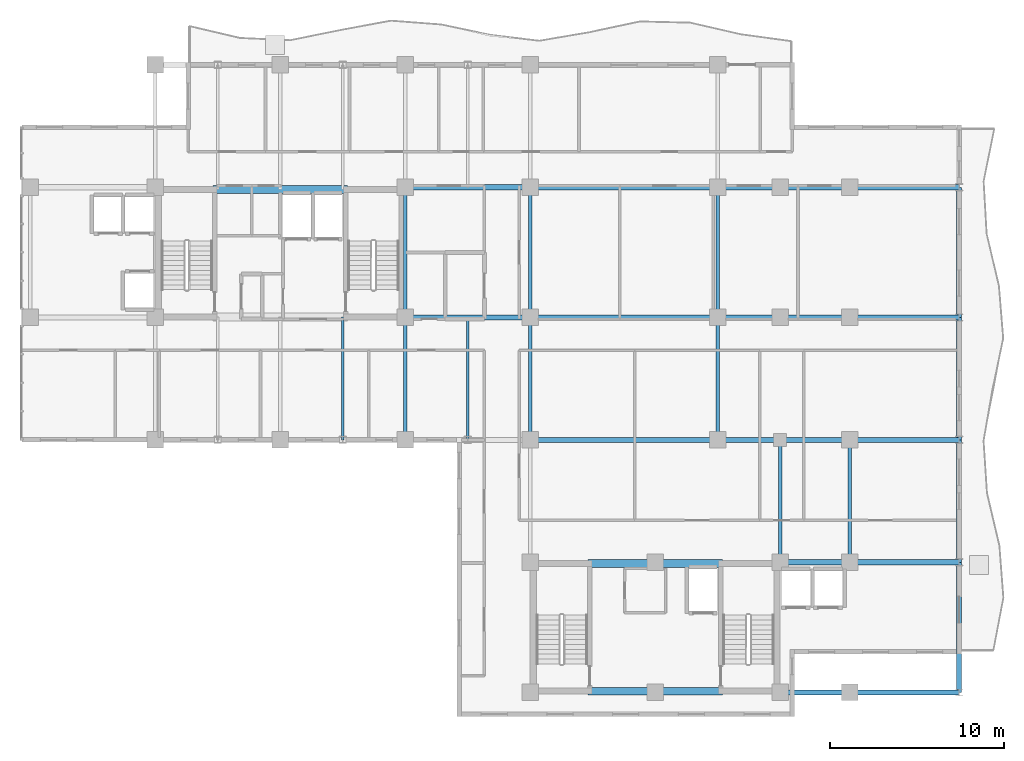
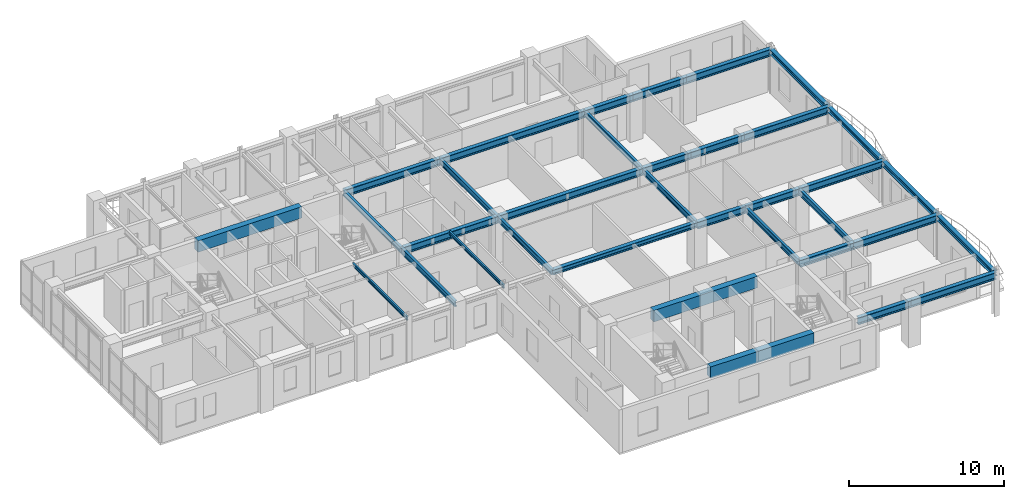
# One storey, part 9 of 20: 35 beams.
"""IFC4 building model written with IfcOpenShell, lengths in metres."""

from ifc_helpers import new_model, si_unit, direction, frame, origin, origin_2d, place, context, subcontext, project, spatial, rectangle, i_section, extrude, source, transform, mapped, material, material_profile, profile_set, type_object, element, save


model = new_model("IFC4")

# Units and contexts
model_context = context("Model", 3, precision=1e-05, world=origin(), true_north=direction((0.0, 1.0)))
body_context = subcontext(model_context, "Body", "Model", "MODEL_VIEW")
ifc_project = project(units=[si_unit("LENGTHUNIT", "METRE"), si_unit("AREAUNIT", "SQUARE_METRE"), si_unit("VOLUMEUNIT", "CUBIC_METRE"), si_unit("PLANEANGLEUNIT", "RADIAN"), si_unit("MASSUNIT", "GRAM", prefix="KILO")], contexts=[model_context])

# Site, building, storey
site_placement = place(None, origin())
site = spatial("IfcSite", under=ifc_project, at=site_placement, CompositionType="ELEMENT")
building_placement = place(site_placement, origin())
building = spatial("IfcBuilding", under=site, at=building_placement, Name="Kaliganga Portal Commons", CompositionType="ELEMENT")
storey_placement = place(building_placement, frame((0.0, 0.0, 231.39990234375)))
storey = spatial("IfcBuildingStorey", under=building, at=storey_placement, Name="L59", CompositionType="ELEMENT", Elevation=231.39990234375)

# Beams
ifc_material_1 = material(Name="Concrete C50/60", Category="concrete")
ifc_material_profile_1 = material_profile(ifc_material_1, rectangle(XDim=0.449951171875, YDim=0.89990234375, at=origin_2d()), Name="RC 450x900")
ifc_profile_set_1 = profile_set([ifc_material_profile_1], Name="Concrete C50/60")
beam_type_1 = type_object("IfcBeamType", Name="BM-CPL-900", PredefinedType="LINTEL", material=ifc_profile_set_1)
shared_shape_1 = source(origin(), body_context, "Body", "SweptSolid", [
    extrude(rectangle(XDim=0.449951171875, YDim=0.89990234375, at=origin_2d()), origin(), (0.0, 0.0, 1.0), 7.739990234375),
])
for number, where, z_axis, x_axis, name in (
    (1, (17.72998046875, 36.02490234375, 2.989990234375), (1.0, 0.0, 0.0), (0.0, 1.0, 0.0), "BM CPL COREA L59 N"),
    (2, (39.330078125, 7.125, 2.989990234375), (1.0, 0.0, 0.0), (0.0, 1.0, 0.0), "BM CPL COREB L59 S"),
    (3, (39.330078125, 14.47509765625, 2.989990234375), (1.0, 0.0, 0.0), (0.0, 1.0, 0.0), "BM CPL COREB L59 N"),
):
    element("IfcBeam", number, at=place(storey_placement, frame(where, z_axis=z_axis, x_axis=x_axis)), inside=storey, type_object=beam_type_1, Name=name, PredefinedType="LINTEL", context=body_context, shape_type="MappedRepresentation", body=[
        mapped(shared_shape_1, transform((0.0, 0.0, 0.0), x_axis=(1.0, 0.0, 0.0), y_axis=(0.0, 1.0, 0.0), z_axis=(0.0, 0.0, 1.0), scale=1.0)),
    ])
ifc_material_2 = material(Name="Structural steel S355J2", Category="steel")
ifc_material_profile_2 = material_profile(ifc_material_2, i_section(OverallWidth=0.18994140625, OverallDepth=0.449951171875, WebThickness=0.009521484375, FlangeThickness=0.0146484375, FilletRadius=0.02099609375, at=origin_2d()), Name="IPE 450")
ifc_profile_set_2 = profile_set([ifc_material_profile_2], Name="Structural steel S355J2 wide-flange")
beam_type_2 = type_object("IfcBeamType", Name="BM-FLR-450", PredefinedType="BEAM", material=ifc_profile_set_2)
shared_shape_2 = source(origin(), body_context, "Body", "SweptSolid", [
    extrude(i_section(OverallWidth=0.18994140625, OverallDepth=0.449951171875, WebThickness=0.009521484375, FlangeThickness=0.0146484375, FilletRadius=0.02099609375, at=origin_2d()), origin(), (0.0, 0.0, 1.0), 7.5),
])
for number, where, z_axis, x_axis, name in (
    (4, (28.800048828125, 28.64990234375, 3.215087890625), (0.0, 1.0, 0.0), (-1.0, 0.0, 0.0), "BM G L59 AM288"),
    (5, (36.0, 28.64990234375, 3.215087890625), (0.0, 1.0, 0.0), (-1.0, 0.0, 0.0), "BM G L59 AM360"),
    (6, (46.800048828125, 28.64990234375, 3.215087890625), (0.0, 1.0, 0.0), (-1.0, 0.0, 0.0), "BM G L59 AM468"),
):
    element("IfcBeam", number, at=place(storey_placement, frame(where, z_axis=z_axis, x_axis=x_axis)), inside=storey, type_object=beam_type_2, Name=name, PredefinedType="BEAM", context=body_context, shape_type="MappedRepresentation", body=[
        mapped(shared_shape_2, transform((0.0, 0.0, 0.0), x_axis=(1.0, 0.0, 0.0), y_axis=(0.0, 1.0, 0.0), z_axis=(0.0, 0.0, 1.0), scale=1.0)),
    ])
shared_shape_3 = source(origin(), body_context, "Body", "SweptSolid", [
    extrude(i_section(OverallWidth=0.18994140625, OverallDepth=0.449951171875, WebThickness=0.009521484375, FlangeThickness=0.0146484375, FilletRadius=0.02099609375, at=origin_2d()), origin(), (0.0, 0.0, 1.0), 7.050048828125),
])
for number, where, z_axis, x_axis, name in (
    (7, (50.39990234375, 14.550048828125, 3.215087890625), (0.0, 1.0, 0.0), (-1.0, 0.0, 0.0), "BM G L59 BNK504"),
    (8, (54.39990234375, 14.550048828125, 3.215087890625), (0.0, 1.0, 0.0), (-1.0, 0.0, 0.0), "BM G L59 BNK544"),
):
    element("IfcBeam", number, at=place(storey_placement, frame(where, z_axis=z_axis, x_axis=x_axis)), inside=storey, type_object=beam_type_2, Name=name, PredefinedType="BEAM", context=body_context, shape_type="MappedRepresentation", body=[
        mapped(shared_shape_3, transform((0.0, 0.0, 0.0), x_axis=(1.0, 0.0, 0.0), y_axis=(0.0, 1.0, 0.0), z_axis=(0.0, 0.0, 1.0), scale=1.0)),
    ])
shared_shape_4 = source(origin(), body_context, "Body", "SweptSolid", [
    extrude(i_section(OverallWidth=0.18994140625, OverallDepth=0.449951171875, WebThickness=0.009521484375, FlangeThickness=0.0146484375, FilletRadius=0.02099609375, at=origin_2d()), origin(), (0.0, 0.0, 1.0), 7.0498046875),
])
for number, where, z_axis, x_axis, name in (
    (9, (28.800048828125, 21.60009765625, 3.215087890625), (0.0, 1.0, 0.0), (-1.0, 0.0, 0.0), "BM G L59 AS288"),
    (10, (36.0, 21.60009765625, 3.215087890625), (0.0, 1.0, 0.0), (-1.0, 0.0, 0.0), "BM G L59 AS360"),
    (11, (46.800048828125, 21.60009765625, 3.215087890625), (0.0, 1.0, 0.0), (-1.0, 0.0, 0.0), "BM G L59 AS468"),
):
    element("IfcBeam", number, at=place(storey_placement, frame(where, z_axis=z_axis, x_axis=x_axis)), inside=storey, type_object=beam_type_2, Name=name, PredefinedType="BEAM", context=body_context, shape_type="MappedRepresentation", body=[
        mapped(shared_shape_4, transform((0.0, 0.0, 0.0), x_axis=(1.0, 0.0, 0.0), y_axis=(0.0, 1.0, 0.0), z_axis=(0.0, 0.0, 1.0), scale=1.0)),
    ])
ifc_material_profile_3 = material_profile(ifc_material_2, i_section(OverallWidth=0.300048828125, OverallDepth=0.39990234375, WebThickness=0.013427734375, FlangeThickness=0.02392578125, FilletRadius=0.027099609375, at=origin_2d()), Name="HE 400 B")
ifc_profile_set_3 = profile_set([ifc_material_profile_3], Name="Structural steel S355J2 wide-flange")
beam_type_3 = type_object("IfcBeamType", Name="BM-SPAND-400", PredefinedType="SPANDREL", material=ifc_profile_set_3)
shared_shape_5 = source(origin(), body_context, "Body", "SweptSolid", [
    extrude(i_section(OverallWidth=0.300048828125, OverallDepth=0.39990234375, WebThickness=0.013427734375, FlangeThickness=0.02392578125, FilletRadius=0.027099609375, at=origin_2d()), origin(), (0.0, 0.0, 1.0), 10.800048828125),
])
beam_1_placement = place(storey_placement, frame((36.0, 21.60009765625, 3.239990234375), z_axis=(1.0, 0.0, 0.0), x_axis=(0.0, 1.0, 0.0)))
element("IfcBeam", 12, at=beam_1_placement, inside=storey, type_object=beam_type_3, Name="BM SP L59 AS 7", PredefinedType="SPANDREL", context=body_context, shape_type="MappedRepresentation", body=[
    mapped(shared_shape_5, transform((0.0, 0.0, 0.0), x_axis=(1.0, 0.0, 0.0), y_axis=(0.0, 1.0, 0.0), z_axis=(0.0, 0.0, 1.0), scale=1.0)),
])
ifc_material_profile_4 = material_profile(ifc_material_2, i_section(OverallWidth=0.300048828125, OverallDepth=0.550048828125, WebThickness=0.014892578125, FlangeThickness=0.029052734375, FilletRadius=0.027099609375, at=origin_2d()), Name="HE 550 B")
ifc_profile_set_4 = profile_set([ifc_material_profile_4], Name="Structural steel S355J2 wide-flange")
beam_type_4 = type_object("IfcBeamType", Name="BM-GIRD-550", PredefinedType="USERDEFINED", material=ifc_profile_set_4)
shared_shape_6 = source(origin(), body_context, "Body", "SweptSolid", [
    extrude(i_section(OverallWidth=0.300048828125, OverallDepth=0.550048828125, WebThickness=0.014892578125, FlangeThickness=0.029052734375, FilletRadius=0.027099609375, at=origin_2d()), origin(), (0.0, 0.0, 1.0), 7.199951171875),
])
for number, where, z_axis, x_axis, name in (
    (13, (28.800048828125, 28.64990234375, 3.1650390625), (1.0, 0.0, 0.0), (0.0, 1.0, 0.0), "BM G L59 WAE_S 1"),
    (14, (28.800048828125, 36.14990234375, 3.1650390625), (1.0, 0.0, 0.0), (0.0, 1.0, 0.0), "BM G L59 WAE_N 1"),
):
    element("IfcBeam", number, at=place(storey_placement, frame(where, z_axis=z_axis, x_axis=x_axis)), inside=storey, type_object=beam_type_4, Name=name, ObjectType="GIRDER", PredefinedType="USERDEFINED", context=body_context, shape_type="MappedRepresentation", body=[
        mapped(shared_shape_6, transform((0.0, 0.0, 0.0), x_axis=(1.0, 0.0, 0.0), y_axis=(0.0, 1.0, 0.0), z_axis=(0.0, 0.0, 1.0), scale=1.0)),
    ])
shared_shape_7 = source(origin(), body_context, "Body", "SweptSolid", [
    extrude(i_section(OverallWidth=0.300048828125, OverallDepth=0.550048828125, WebThickness=0.014892578125, FlangeThickness=0.029052734375, FilletRadius=0.027099609375, at=origin_2d()), origin(), (0.0, 0.0, 1.0), 10.800048828125),
])
for number, where, z_axis, x_axis, name in (
    (15, (36.0, 28.64990234375, 3.1650390625), (1.0, 0.0, 0.0), (0.0, 1.0, 0.0), "BM G L59 WAE_S 2"),
    (16, (36.0, 36.14990234375, 3.1650390625), (1.0, 0.0, 0.0), (0.0, 1.0, 0.0), "BM G L59 WAE_N 2"),
):
    element("IfcBeam", number, at=place(storey_placement, frame(where, z_axis=z_axis, x_axis=x_axis)), inside=storey, type_object=beam_type_4, Name=name, ObjectType="GIRDER", PredefinedType="USERDEFINED", context=body_context, shape_type="MappedRepresentation", body=[
        mapped(shared_shape_7, transform((0.0, 0.0, 0.0), x_axis=(1.0, 0.0, 0.0), y_axis=(0.0, 1.0, 0.0), z_axis=(0.0, 0.0, 1.0), scale=1.0)),
    ])
shared_shape_8 = source(origin(), body_context, "Body", "SweptSolid", [
    extrude(i_section(OverallWidth=0.300048828125, OverallDepth=0.550048828125, WebThickness=0.014892578125, FlangeThickness=0.029052734375, FilletRadius=0.027099609375, at=origin_2d()), origin(), (0.0, 0.0, 1.0), 4.0),
])
for number, where, z_axis, x_axis, name in (
    (17, (50.39990234375, 7.050048828125, 3.1650390625), (1.0, 0.0, 0.0), (0.0, 1.0, 0.0), "BM G L59 BKE70 1"),
    (18, (50.39990234375, 14.550048828125, 3.1650390625), (1.0, 0.0, 0.0), (0.0, 1.0, 0.0), "BM G L59 BKE146 1"),
    (19, (50.39990234375, 21.60009765625, 3.1650390625), (1.0, 0.0, 0.0), (0.0, 1.0, 0.0), "BM G L59 BKE216 2"),
    (20, (50.39990234375, 28.64990234375, 3.1650390625), (1.0, 0.0, 0.0), (0.0, 1.0, 0.0), "BM G L59 BKE286 2"),
    (21, (50.39990234375, 36.14990234375, 3.1650390625), (1.0, 0.0, 0.0), (0.0, 1.0, 0.0), "BM G L59 BKE362 2"),
):
    element("IfcBeam", number, at=place(storey_placement, frame(where, z_axis=z_axis, x_axis=x_axis)), inside=storey, type_object=beam_type_4, Name=name, ObjectType="GIRDER", PredefinedType="USERDEFINED", context=body_context, shape_type="MappedRepresentation", body=[
        mapped(shared_shape_8, transform((0.0, 0.0, 0.0), x_axis=(1.0, 0.0, 0.0), y_axis=(0.0, 1.0, 0.0), z_axis=(0.0, 0.0, 1.0), scale=1.0)),
    ])
shared_shape_9 = source(origin(), body_context, "Body", "SweptSolid", [
    extrude(i_section(OverallWidth=0.300048828125, OverallDepth=0.550048828125, WebThickness=0.014892578125, FlangeThickness=0.029052734375, FilletRadius=0.027099609375, at=origin_2d()), origin(), (0.0, 0.0, 1.0), 6.300048828125),
])
for number, where, z_axis, x_axis, name in (
    (22, (54.39990234375, 7.050048828125, 3.1650390625), (1.0, 0.0, 0.0), (0.0, 1.0, 0.0), "BM G L59 BKE70 2"),
    (23, (54.39990234375, 14.550048828125, 3.1650390625), (1.0, 0.0, 0.0), (0.0, 1.0, 0.0), "BM G L59 BKE146 2"),
    (24, (54.39990234375, 21.60009765625, 3.1650390625), (1.0, 0.0, 0.0), (0.0, 1.0, 0.0), "BM G L59 BKE216 3"),
    (25, (54.39990234375, 28.64990234375, 3.1650390625), (1.0, 0.0, 0.0), (0.0, 1.0, 0.0), "BM G L59 BKE286 3"),
    (26, (54.39990234375, 36.14990234375, 3.1650390625), (1.0, 0.0, 0.0), (0.0, 1.0, 0.0), "BM G L59 BKE362 3"),
):
    element("IfcBeam", number, at=place(storey_placement, frame(where, z_axis=z_axis, x_axis=x_axis)), inside=storey, type_object=beam_type_4, Name=name, ObjectType="GIRDER", PredefinedType="USERDEFINED", context=body_context, shape_type="MappedRepresentation", body=[
        mapped(shared_shape_9, transform((0.0, 0.0, 0.0), x_axis=(1.0, 0.0, 0.0), y_axis=(0.0, 1.0, 0.0), z_axis=(0.0, 0.0, 1.0), scale=1.0)),
    ])
shared_shape_10 = source(origin(), body_context, "Body", "SweptSolid", [
    extrude(i_section(OverallWidth=0.300048828125, OverallDepth=0.550048828125, WebThickness=0.014892578125, FlangeThickness=0.029052734375, FilletRadius=0.027099609375, at=origin_2d()), origin(), (0.0, 0.0, 1.0), 3.599853515625),
])
for number, where, z_axis, x_axis, name in (
    (27, (46.800048828125, 21.60009765625, 3.1650390625), (1.0, 0.0, 0.0), (0.0, 1.0, 0.0), "BM G L59 BKE216 1"),
    (28, (46.800048828125, 28.64990234375, 3.1650390625), (1.0, 0.0, 0.0), (0.0, 1.0, 0.0), "BM G L59 BKE286 1"),
    (29, (46.800048828125, 36.14990234375, 3.1650390625), (1.0, 0.0, 0.0), (0.0, 1.0, 0.0), "BM G L59 BKE362 1"),
):
    element("IfcBeam", number, at=place(storey_placement, frame(where, z_axis=z_axis, x_axis=x_axis)), inside=storey, type_object=beam_type_4, Name=name, ObjectType="GIRDER", PredefinedType="USERDEFINED", context=body_context, shape_type="MappedRepresentation", body=[
        mapped(shared_shape_10, transform((0.0, 0.0, 0.0), x_axis=(1.0, 0.0, 0.0), y_axis=(0.0, 1.0, 0.0), z_axis=(0.0, 0.0, 1.0), scale=1.0)),
    ])
shared_shape_11 = source(origin(), body_context, "Body", "SweptSolid", [
    extrude(i_section(OverallWidth=0.300048828125, OverallDepth=0.39990234375, WebThickness=0.013427734375, FlangeThickness=0.02392578125, FilletRadius=0.027099609375, at=origin_2d()), origin(), (0.0, 0.0, 1.0), 7.5),
])
for number, where, z_axis, x_axis, name in (
    (30, (60.699951171875, 7.050048828125, 3.239990234375), (0.0, 1.0, 0.0), (-1.0, 0.0, 0.0), "BM SP L59 BE 1"),
    (31, (60.699951171875, 28.64990234375, 3.239990234375), (0.0, 1.0, 0.0), (-1.0, 0.0, 0.0), "BM SP L59 BE 4"),
):
    element("IfcBeam", number, at=place(storey_placement, frame(where, z_axis=z_axis, x_axis=x_axis)), inside=storey, type_object=beam_type_3, Name=name, PredefinedType="SPANDREL", context=body_context, shape_type="MappedRepresentation", body=[
        mapped(shared_shape_11, transform((0.0, 0.0, 0.0), x_axis=(1.0, 0.0, 0.0), y_axis=(0.0, 1.0, 0.0), z_axis=(0.0, 0.0, 1.0), scale=1.0)),
    ])
shared_shape_12 = source(origin(), body_context, "Body", "SweptSolid", [
    extrude(i_section(OverallWidth=0.300048828125, OverallDepth=0.39990234375, WebThickness=0.013427734375, FlangeThickness=0.02392578125, FilletRadius=0.027099609375, at=origin_2d()), origin(), (0.0, 0.0, 1.0), 7.050048828125),
])
beam_2_placement = place(storey_placement, frame((60.699951171875, 14.550048828125, 3.239990234375), z_axis=(0.0, 1.0, 0.0), x_axis=(-1.0, 0.0, 0.0)))
element("IfcBeam", 32, at=beam_2_placement, inside=storey, type_object=beam_type_3, Name="BM SP L59 BE 2", PredefinedType="SPANDREL", context=body_context, shape_type="MappedRepresentation", body=[
    mapped(shared_shape_12, transform((0.0, 0.0, 0.0), x_axis=(1.0, 0.0, 0.0), y_axis=(0.0, 1.0, 0.0), z_axis=(0.0, 0.0, 1.0), scale=1.0)),
])
shared_shape_13 = source(origin(), body_context, "Body", "SweptSolid", [
    extrude(i_section(OverallWidth=0.300048828125, OverallDepth=0.39990234375, WebThickness=0.013427734375, FlangeThickness=0.02392578125, FilletRadius=0.027099609375, at=origin_2d()), origin(), (0.0, 0.0, 1.0), 7.0498046875),
])
beam_3_placement = place(storey_placement, frame((60.699951171875, 21.60009765625, 3.239990234375), z_axis=(0.0, 1.0, 0.0), x_axis=(-1.0, 0.0, 0.0)))
element("IfcBeam", 33, at=beam_3_placement, inside=storey, type_object=beam_type_3, Name="BM SP L59 BE 3", PredefinedType="SPANDREL", context=body_context, shape_type="MappedRepresentation", body=[
    mapped(shared_shape_13, transform((0.0, 0.0, 0.0), x_axis=(1.0, 0.0, 0.0), y_axis=(0.0, 1.0, 0.0), z_axis=(0.0, 0.0, 1.0), scale=1.0)),
])
ifc_material_profile_5 = material_profile(ifc_material_2, i_section(OverallWidth=0.135009765625, OverallDepth=0.27001953125, WebThickness=0.006591796875, FlangeThickness=0.01025390625, FilletRadius=0.014892578125, at=origin_2d()), Name="IPE 270")
ifc_profile_set_5 = profile_set([ifc_material_profile_5], Name="Structural steel S355J2 wide-flange")
beam_type_5 = type_object("IfcBeamType", Name="BM-JST-270", PredefinedType="JOIST", material=ifc_profile_set_5)
shared_shape_14 = source(origin(), body_context, "Body", "SweptSolid", [
    extrude(i_section(OverallWidth=0.135009765625, OverallDepth=0.27001953125, WebThickness=0.006591796875, FlangeThickness=0.01025390625, FilletRadius=0.014892578125, at=origin_2d()), origin(), (0.0, 0.0, 1.0), 7.074951171875),
])
beam_4_placement = place(storey_placement, frame((25.199951171875, 21.60009765625, 3.30517578125), z_axis=(0.0, 1.0, 0.0), x_axis=(-1.0, 0.0, 0.0)))
element("IfcBeam", 34, at=beam_4_placement, inside=storey, type_object=beam_type_5, Name="BM G L59 AS252", PredefinedType="JOIST", context=body_context, shape_type="MappedRepresentation", body=[
    mapped(shared_shape_14, transform((0.0, 0.0, 0.0), x_axis=(1.0, 0.0, 0.0), y_axis=(0.0, 1.0, 0.0), z_axis=(0.0, 0.0, 1.0), scale=1.0)),
])
shared_shape_15 = source(origin(), body_context, "Body", "SweptSolid", [
    extrude(i_section(OverallWidth=0.135009765625, OverallDepth=0.27001953125, WebThickness=0.006591796875, FlangeThickness=0.01025390625, FilletRadius=0.014892578125, at=origin_2d()), origin(), (0.0, 0.0, 1.0), 7.0498046875),
])
beam_5_placement = place(storey_placement, frame((32.39990234375, 21.60009765625, 3.30517578125), z_axis=(0.0, 1.0, 0.0), x_axis=(-1.0, 0.0, 0.0)))
element("IfcBeam", 35, at=beam_5_placement, inside=storey, type_object=beam_type_5, Name="BM G L59 AS324", PredefinedType="JOIST", context=body_context, shape_type="MappedRepresentation", body=[
    mapped(shared_shape_15, transform((0.0, 0.0, 0.0), x_axis=(1.0, 0.0, 0.0), y_axis=(0.0, 1.0, 0.0), z_axis=(0.0, 0.0, 1.0), scale=1.0)),
])

save(model, "model.ifc")
